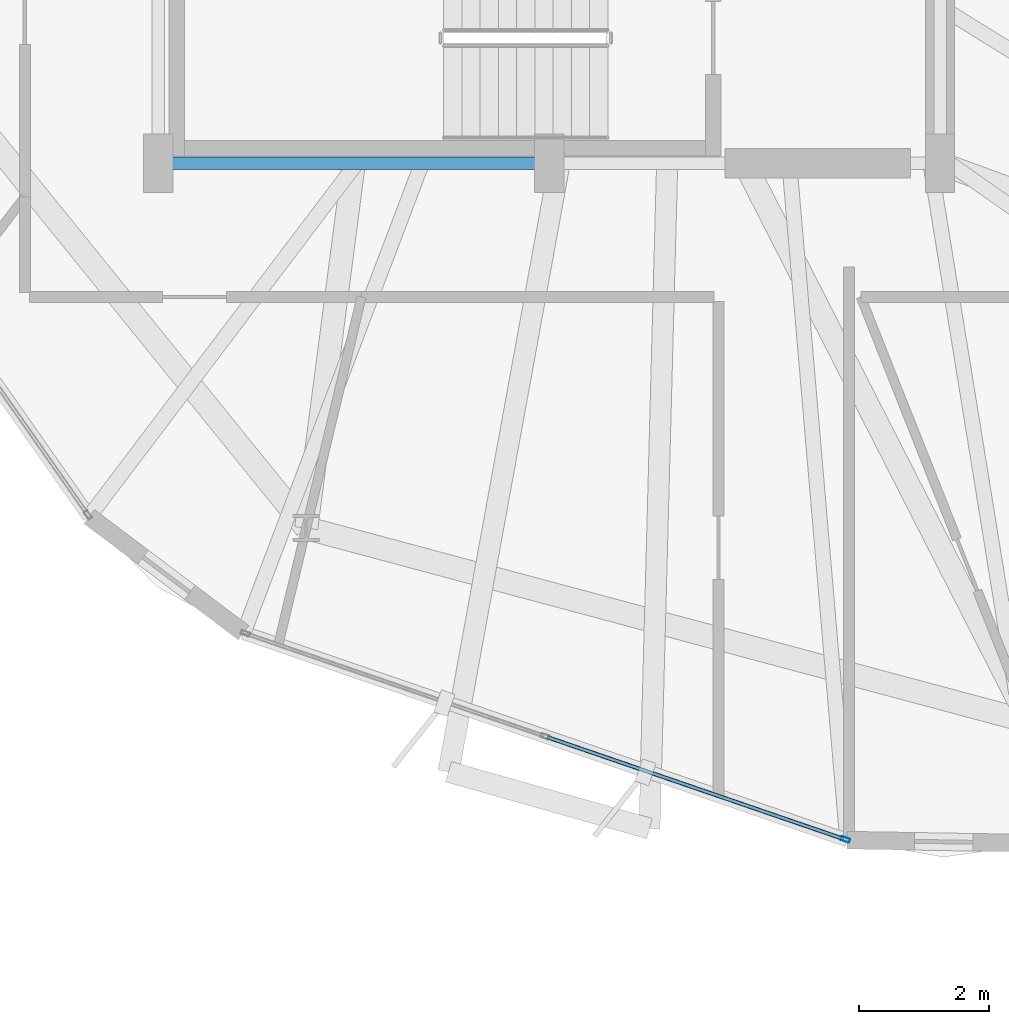
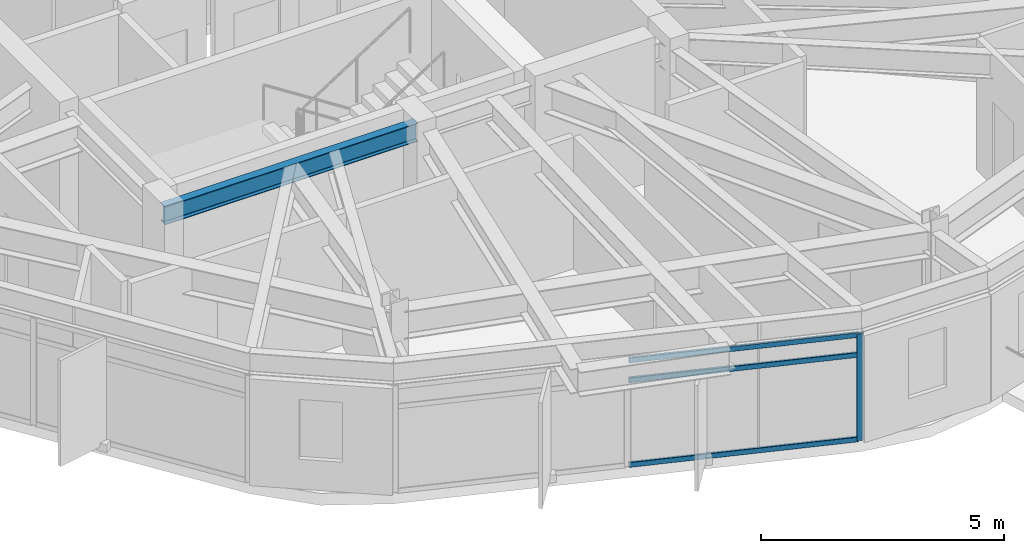
# One storey, part 4 of 29: 4 members, 1 beam, 1 element without a shape of its own.
"""IFC4 building model written with IfcOpenShell, lengths in metres."""

from ifc_helpers import new_model, si_unit, direction, frame, origin, origin_2d, place, context, subcontext, project, spatial, hollow_rectangle, i_section, extrude, material, layer, layer_set, material_profile, profile_set, type_object, element, aggregate, save


model = new_model("IFC4")

# Units and contexts
model_context = context("Model", 3, precision=1e-05, world=origin(), true_north=direction((0.0, 1.0)))
body_context = subcontext(model_context, "Body", "Model", "MODEL_VIEW")
ifc_project = project(units=[si_unit("LENGTHUNIT", "METRE"), si_unit("AREAUNIT", "SQUARE_METRE"), si_unit("VOLUMEUNIT", "CUBIC_METRE"), si_unit("PLANEANGLEUNIT", "RADIAN"), si_unit("MASSUNIT", "GRAM", prefix="KILO")], contexts=[model_context])

# Site, building, storey
site_placement = place(None, origin())
site = spatial("IfcSite", under=ifc_project, at=site_placement, CompositionType="ELEMENT")
building_placement = place(site_placement, origin())
building = spatial("IfcBuilding", under=site, at=building_placement, Name="Soratama Intermodal Tower", CompositionType="ELEMENT")
storey_placement = place(building_placement, frame((0.0, 0.0, 226.60009765625)))
storey = spatial("IfcBuildingStorey", under=building, at=storey_placement, Name="L57", CompositionType="ELEMENT", Elevation=226.60009765625)

# Beam
ifc_material_1 = material(Name="Structural steel ASTM A992 Grade 50", Category="steel")
ifc_material_profile_1 = material_profile(ifc_material_1, i_section(OverallWidth=0.19091796875, OverallDepth=0.4599609375, WebThickness=0.010009765625, FlangeThickness=0.01611328125, FilletRadius=0.010986328125, at=origin_2d()), Name="W18X55")
ifc_profile_set_1 = profile_set([ifc_material_profile_1], Name="Structural steel ASTM A992 Grade 50")
beam_type = type_object("IfcBeamType", Name="BM-FLR-W18X55", PredefinedType="BEAM", material=ifc_profile_set_1)
beam_placement = place(storey_placement, frame((32.60009765625, 15.0, 3.06982421875), z_axis=(1.0, 0.0, 0.0), x_axis=(0.0, 1.0, 0.0)))
element("IfcBeam", 1, at=beam_placement, inside=storey, type_object=beam_type, Name="BM-L57-CRING-01", PredefinedType="BEAM", context=body_context, shape_type="SweptSolid", body=[
    extrude(i_section(OverallWidth=0.19091796875, OverallDepth=0.4599609375, WebThickness=0.010009765625, FlangeThickness=0.01611328125, FilletRadius=0.010986328125, at=origin_2d()), origin(), (0.0, 0.0, 1.0), 6.0),
])

# Curtain wall, members
ifc_material_2 = material(Name="Double-glazed aluminium curtain wall", Category="aluminium")
ifc_layer = layer(ifc_material_2, 0.159912109375)
ifc_layer_set = layer_set([ifc_layer], Name="Double-glazed aluminium curtain wall")
curtain_wall_type = type_object("IfcCurtainWallType", Name="CW-SYS-5", PredefinedType="NOTDEFINED", material=ifc_layer_set)
curtain_wall_placement = place(storey_placement, origin())
curtain_wall = element("IfcCurtainWall", 2, at=curtain_wall_placement, inside=storey, type_object=curtain_wall_type, Name="L57 Faceted Curtain Wall F06", PredefinedType="NOTDEFINED")
ifc_material_3 = material(Name="Anodised aluminium AA 6063-T6", Category="aluminium")
ifc_material_profile_2 = material_profile(ifc_material_3, hollow_rectangle(XDim=0.06494140625, YDim=0.139892578125, WallThickness=0.0048828125, InnerFilletRadius=0.0048828125, OuterFilletRadius=0.010009765625, at=origin_2d()), Name="CWM140X65X5")
ifc_profile_set_2 = profile_set([ifc_material_profile_2], Name="Anodised aluminium AA 6063-T6")
member_type_1 = type_object("IfcMemberType", Name="MT-CWM-5", PredefinedType="MULLION", material=ifc_profile_set_2)
member_1_placement = place(storey_placement, frame((43.146484375, 4.619384765625, 0.0), z_axis=(0.0, 0.0, 1.0), x_axis=(0.324904335473, 0.945746886218, 0.0)))
member_1 = element("IfcMember", 3, at=member_1_placement, type_object=member_type_1, Name="CW-5 mullion 3", PredefinedType="MULLION", context=body_context, shape_type="SweptSolid", body=[
    extrude(hollow_rectangle(XDim=0.06494140625, YDim=0.139892578125, WallThickness=0.0048828125, InnerFilletRadius=0.0048828125, OuterFilletRadius=0.010009765625, at=origin_2d()), origin(), (0.0, 0.0, 1.0), 2.678955078125),
])
ifc_material_4 = material(Name="Anodised aluminium AA 6063-T6", Category="aluminium")
ifc_material_profile_3 = material_profile(ifc_material_4, hollow_rectangle(XDim=0.06005859375, YDim=0.1298828125, WallThickness=0.0048828125, InnerFilletRadius=0.0048828125, OuterFilletRadius=0.010009765625, at=origin_2d()), Name="CWT130X60X5")
ifc_profile_set_3 = profile_set([ifc_material_profile_3], Name="Anodised aluminium AA 6063-T6")
member_type_2 = type_object("IfcMemberType", Name="TT-CWT-2", PredefinedType="USERDEFINED", material=ifc_profile_set_3)
member_2_placement = place(storey_placement, frame((38.570068359375, 6.191650390625, 0.02978515625), z_axis=(0.945744623043, -0.324910923156, 0.0), x_axis=(0.324910923156, 0.945744623043, 0.0)))
member_2 = element("IfcMember", 4, at=member_2_placement, type_object=member_type_2, Name="CW-5 transom 2.1", ObjectType="TRANSOM", PredefinedType="USERDEFINED", context=body_context, shape_type="SweptSolid", body=[
    extrude(hollow_rectangle(XDim=0.06005859375, YDim=0.1298828125, WallThickness=0.0048828125, InnerFilletRadius=0.0048828125, OuterFilletRadius=0.010009765625, at=origin_2d()), origin(), (0.0, 0.0, 1.0), 4.80908203125),
])
member_3_placement = place(storey_placement, frame((38.570068359375, 6.191650390625, 2.14990234375), z_axis=(0.945744623043, -0.324910923156, 0.0), x_axis=(0.324910923156, 0.945744623043, 0.0)))
member_3 = element("IfcMember", 5, at=member_3_placement, type_object=member_type_2, Name="CW-5 transom 2.2", ObjectType="TRANSOM", PredefinedType="USERDEFINED", context=body_context, shape_type="SweptSolid", body=[
    extrude(hollow_rectangle(XDim=0.06005859375, YDim=0.1298828125, WallThickness=0.0048828125, InnerFilletRadius=0.0048828125, OuterFilletRadius=0.010009765625, at=origin_2d()), origin(), (0.0, 0.0, 1.0), 4.80908203125),
])
member_4_placement = place(storey_placement, frame((38.570068359375, 6.191650390625, 2.64892578125), z_axis=(0.945744623043, -0.324910923156, 0.0), x_axis=(0.324910923156, 0.945744623043, 0.0)))
member_4 = element("IfcMember", 6, at=member_4_placement, type_object=member_type_2, Name="CW-5 transom 2.3", ObjectType="TRANSOM", PredefinedType="USERDEFINED", context=body_context, shape_type="SweptSolid", body=[
    extrude(hollow_rectangle(XDim=0.06005859375, YDim=0.1298828125, WallThickness=0.0048828125, InnerFilletRadius=0.0048828125, OuterFilletRadius=0.010009765625, at=origin_2d()), origin(), (0.0, 0.0, 1.0), 4.80908203125),
])
aggregate(curtain_wall, [member_1, member_2, member_3, member_4])

save(model, "model.ifc")
